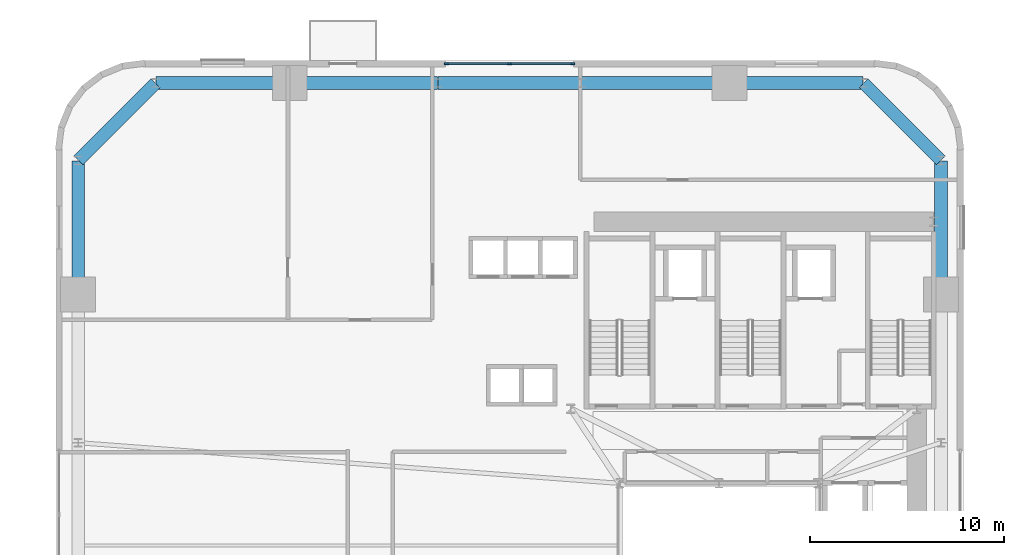
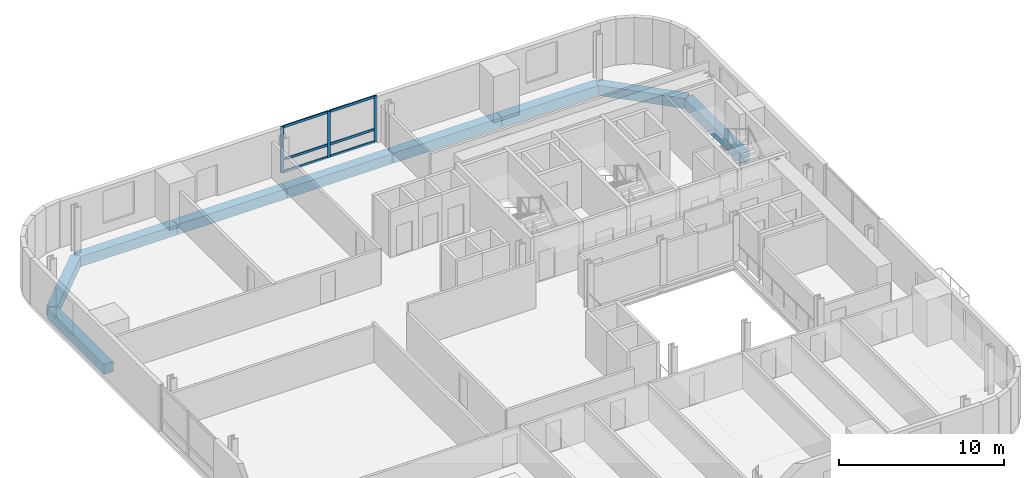
# One storey, part 4 of 13: 9 beams, 9 members, 1 element without a shape of its own.
"""IFC4 building model written with IfcOpenShell, lengths in metres."""

from ifc_helpers import new_model, si_unit, direction, frame, origin, origin_2d, place, context, subcontext, project, spatial, rectangle, extrude, source, transform, mapped, material, material_profile, profile_set, type_object, element, aggregate, save


model = new_model("IFC4")

# Units and contexts
model_context = context("Model", 3, precision=1e-05, world=origin(), true_north=direction((0.0, 1.0)))
body_context = subcontext(model_context, "Body", "Model", "MODEL_VIEW")
ifc_project = project(units=[si_unit("LENGTHUNIT", "METRE"), si_unit("AREAUNIT", "SQUARE_METRE"), si_unit("VOLUMEUNIT", "CUBIC_METRE"), si_unit("PLANEANGLEUNIT", "RADIAN"), si_unit("MASSUNIT", "GRAM", prefix="KILO")], contexts=[model_context])

# Site, building, storey
site_placement = place(None, origin())
site = spatial("IfcSite", under=ifc_project, at=site_placement, CompositionType="ELEMENT")
building_placement = place(site_placement, origin())
building = spatial("IfcBuilding", under=site, at=building_placement, Name="Vardaveli Station Tower", CompositionType="ELEMENT")
storey_placement = place(building_placement, frame((0.0, 0.0, 82.35009765625)))
storey = spatial("IfcBuildingStorey", under=building, at=storey_placement, Name="L21", CompositionType="ELEMENT", Elevation=82.35009765625)

# Beams
ifc_material_1 = material(Name="Precast concrete C45/55", Category="concrete")
ifc_material_profile_1 = material_profile(ifc_material_1, rectangle(XDim=0.64990234375, YDim=0.75, at=origin_2d()), Name="LPB 650x750")
ifc_profile_set_1 = profile_set([ifc_material_profile_1], Name="Precast concrete C45/55")
beam_type = type_object("IfcBeamType", Name="BM-LPB-750", PredefinedType="BEAM", material=ifc_profile_set_1)
shared_shape_1 = source(origin(), body_context, "Body", "SweptSolid", [
    extrude(rectangle(XDim=0.64990234375, YDim=0.75, at=origin_2d()), origin(), (0.0, 0.0, 1.0), 7.60009765625),
])
for number, where, z_axis, x_axis, name in (
    (1, (36.820068359375, 47.449951171875, -0.614990234375), (-1.0, 0.0, 0.0), (0.0, -1.0, 0.0), "RBM-L21-13"),
    (2, (21.780029296875, 47.449951171875, -0.614990234375), (-1.0, 0.0, 0.0), (0.0, -1.0, 0.0), "RBM-L21-15"),
):
    element("IfcBeam", number, at=place(storey_placement, frame(where, z_axis=z_axis, x_axis=x_axis)), inside=storey, type_object=beam_type, Name=name, PredefinedType="BEAM", context=body_context, shape_type="MappedRepresentation", body=[
        mapped(shared_shape_1, transform((0.0, 0.0, 0.0), scale=1.0)),
    ])
shared_shape_2 = source(origin(), body_context, "Body", "SweptSolid", [
    extrude(rectangle(XDim=0.64990234375, YDim=0.75, at=origin_2d()), origin(), (0.0, 0.0, 1.0), 7.35986328125),
])
beam_placement = place(storey_placement, frame((29.179931640625, 47.449951171875, -0.614990234375), z_axis=(-1.0, 0.0, 0.0), x_axis=(0.0, -1.0, 0.0)))
element("IfcBeam", 3, at=beam_placement, inside=storey, type_object=beam_type, Name="RBM-L21-14", PredefinedType="BEAM", context=body_context, shape_type="MappedRepresentation", body=[
    mapped(shared_shape_2, transform((0.0, 0.0, 0.0), scale=1.0)),
])
shared_shape_3 = source(origin(), body_context, "Body", "SweptSolid", [
    extrude(rectangle(XDim=0.64990234375, YDim=0.75, at=origin_2d()), origin(), (0.0, 0.0, 1.0), 6.869873046875),
])
for number, where, z_axis, x_axis, name in (
    (4, (47.75, 36.56005859375, -0.614990234375), (0.0, 1.0, 0.0), (-1.0, 0.0, 0.0), "RBM-L21-10"),
    (5, (43.72998046875, 47.449951171875, -0.614990234375), (-1.0, 0.0, 0.0), (0.0, -1.0, 0.0), "RBM-L21-12"),
    (6, (14.139892578125, 47.449951171875, -0.614990234375), (-1.0, 0.0, 0.0), (0.0, -1.0, 0.0), "RBM-L21-16"),
    (7, (3.25, 43.429931640625, -0.614990234375), (0.0, -1.0, 0.0), (1.0, 0.0, 0.0), "RBM-L21-18"),
):
    element("IfcBeam", number, at=place(storey_placement, frame(where, z_axis=z_axis, x_axis=x_axis)), inside=storey, type_object=beam_type, Name=name, PredefinedType="BEAM", context=body_context, shape_type="MappedRepresentation", body=[
        mapped(shared_shape_3, transform((0.0, 0.0, 0.0), scale=1.0)),
    ])
shared_shape_4 = source(origin(), body_context, "Body", "SweptSolid", [
    extrude(rectangle(XDim=0.64990234375, YDim=0.75, at=origin_2d()), origin(), (0.0, 0.0, 1.0), 5.61669921875),
])
for number, where, z_axis, x_axis, name in (
    (8, (47.73583984375, 43.464111328125, -0.614990234375), (-0.707106781187, 0.707106781187, 0.0), (-0.707106781187, -0.707106781187, 0.0), "RBM-L21-11"),
    (9, (7.23583984375, 47.435791015625, -0.614990234375), (-0.707106781187, -0.707106781187, 0.0), (0.707106781187, -0.707106781187, 0.0), "RBM-L21-17"),
):
    element("IfcBeam", number, at=place(storey_placement, frame(where, z_axis=z_axis, x_axis=x_axis)), inside=storey, type_object=beam_type, Name=name, PredefinedType="BEAM", context=body_context, shape_type="MappedRepresentation", body=[
        mapped(shared_shape_4, transform((0.0, 0.0, 0.0), scale=1.0)),
    ])

# Curtain wall, members
ifc_material_2 = material(Name="Travertine stone and solar-control glass", Category="masonry")
curtain_wall_type = type_object("IfcCurtainWallType", Name="CW-SYS-2", PredefinedType="NOTDEFINED", material=ifc_material_2)
curtain_wall_placement = place(storey_placement, origin())
curtain_wall = element("IfcCurtainWall", 10, at=curtain_wall_placement, inside=storey, type_object=curtain_wall_type, Name="CW-L21-N", PredefinedType="NOTDEFINED")
ifc_material_3 = material(Name="Anodised aluminium alloy 6063-T6", Category="aluminium")
ifc_material_profile_2 = material_profile(ifc_material_3, rectangle(XDim=0.0849609375, YDim=0.219970703125, at=origin_2d()), Name="CWM 85x220")
ifc_profile_set_2 = profile_set([ifc_material_profile_2], Name="Anodised aluminium alloy 6063-T6")
member_type_1 = type_object("IfcMemberType", Name="CW-SYS-2-MULL", PredefinedType="MULLION", material=ifc_profile_set_2)
shared_shape_5 = source(origin(), body_context, "Body", "SweptSolid", [
    extrude(rectangle(XDim=0.0849609375, YDim=0.219970703125, at=origin_2d()), origin(), (0.0, 0.0, 1.0), 3.409912109375),
])
member_1_placement = place(storey_placement, frame((28.757568359375, 48.43994140625, 0.0), z_axis=(0.0, 0.0, 1.0), x_axis=(0.0, -1.0, 0.0)))
member_1 = element("IfcMember", 11, at=member_1_placement, type_object=member_type_1, Name="CW-2 mullion 1", PredefinedType="MULLION", context=body_context, shape_type="MappedRepresentation", body=[
    mapped(shared_shape_5, transform((0.0, 0.0, 0.0), scale=1.0)),
])
member_2_placement = place(storey_placement, frame((25.5, 48.43994140625, 0.0), z_axis=(0.0, 0.0, 1.0), x_axis=(0.0, -1.0, 0.0)))
member_2 = element("IfcMember", 12, at=member_2_placement, type_object=member_type_1, Name="CW-2 mullion 2", PredefinedType="MULLION", context=body_context, shape_type="MappedRepresentation", body=[
    mapped(shared_shape_5, transform((0.0, 0.0, 0.0), scale=1.0)),
])
member_3_placement = place(storey_placement, frame((22.242431640625, 48.43994140625, 0.0), z_axis=(0.0, 0.0, 1.0), x_axis=(0.0, -1.0, 0.0)))
member_3 = element("IfcMember", 13, at=member_3_placement, type_object=member_type_1, Name="CW-2 mullion 3", PredefinedType="MULLION", context=body_context, shape_type="MappedRepresentation", body=[
    mapped(shared_shape_5, transform((0.0, 0.0, 0.0), scale=1.0)),
])
ifc_material_profile_3 = material_profile(ifc_material_3, rectangle(XDim=0.0849609375, YDim=0.179931640625, at=origin_2d()), Name="CWT 85x180")
ifc_profile_set_3 = profile_set([ifc_material_profile_3], Name="Anodised aluminium alloy 6063-T6")
member_type_2 = type_object("IfcMemberType", Name="CW-SYS-2-TRAN", PredefinedType="NOTDEFINED", material=ifc_profile_set_3)
shared_shape_6 = source(origin(), body_context, "Body", "SweptSolid", [
    extrude(rectangle(XDim=0.0849609375, YDim=0.179931640625, at=origin_2d()), origin(), (0.0, 0.0, 1.0), 3.172607421875),
])
member_4_placement = place(storey_placement, frame((28.715087890625, 48.43994140625, 0.04248046875), z_axis=(-1.0, 0.0, 0.0), x_axis=(0.0, -1.0, 0.0)))
member_4 = element("IfcMember", 14, at=member_4_placement, type_object=member_type_2, Name="CW-2 transom 1.1", ObjectType="TRANSOM", PredefinedType="USERDEFINED", context=body_context, shape_type="MappedRepresentation", body=[
    mapped(shared_shape_6, transform((0.0, 0.0, 0.0), scale=1.0)),
])
member_5_placement = place(storey_placement, frame((28.715087890625, 48.43994140625, 0.949951171875), z_axis=(-1.0, 0.0, 0.0), x_axis=(0.0, -1.0, 0.0)))
member_5 = element("IfcMember", 15, at=member_5_placement, type_object=member_type_2, Name="CW-2 transom 1.2", ObjectType="TRANSOM", PredefinedType="USERDEFINED", context=body_context, shape_type="MappedRepresentation", body=[
    mapped(shared_shape_6, transform((0.0, 0.0, 0.0), scale=1.0)),
])
member_6_placement = place(storey_placement, frame((28.715087890625, 48.43994140625, 3.367431640625), z_axis=(-1.0, 0.0, 0.0), x_axis=(0.0, -1.0, 0.0)))
member_6 = element("IfcMember", 16, at=member_6_placement, type_object=member_type_2, Name="CW-2 transom 1.3", ObjectType="TRANSOM", PredefinedType="USERDEFINED", context=body_context, shape_type="MappedRepresentation", body=[
    mapped(shared_shape_6, transform((0.0, 0.0, 0.0), scale=1.0)),
])
member_7_placement = place(storey_placement, frame((25.45751953125, 48.43994140625, 0.04248046875), z_axis=(-1.0, 0.0, 0.0), x_axis=(0.0, -1.0, 0.0)))
member_7 = element("IfcMember", 17, at=member_7_placement, type_object=member_type_2, Name="CW-2 transom 2.1", ObjectType="TRANSOM", PredefinedType="USERDEFINED", context=body_context, shape_type="MappedRepresentation", body=[
    mapped(shared_shape_6, transform((0.0, 0.0, 0.0), scale=1.0)),
])
member_8_placement = place(storey_placement, frame((25.45751953125, 48.43994140625, 0.949951171875), z_axis=(-1.0, 0.0, 0.0), x_axis=(0.0, -1.0, 0.0)))
member_8 = element("IfcMember", 18, at=member_8_placement, type_object=member_type_2, Name="CW-2 transom 2.2", ObjectType="TRANSOM", PredefinedType="USERDEFINED", context=body_context, shape_type="MappedRepresentation", body=[
    mapped(shared_shape_6, transform((0.0, 0.0, 0.0), scale=1.0)),
])
member_9_placement = place(storey_placement, frame((25.45751953125, 48.43994140625, 3.367431640625), z_axis=(-1.0, 0.0, 0.0), x_axis=(0.0, -1.0, 0.0)))
member_9 = element("IfcMember", 19, at=member_9_placement, type_object=member_type_2, Name="CW-2 transom 2.3", ObjectType="TRANSOM", PredefinedType="USERDEFINED", context=body_context, shape_type="MappedRepresentation", body=[
    mapped(shared_shape_6, transform((0.0, 0.0, 0.0), scale=1.0)),
])
aggregate(curtain_wall, [member_1, member_2, member_3, member_4, member_5, member_6, member_7, member_8, member_9])

save(model, "model.ifc")
